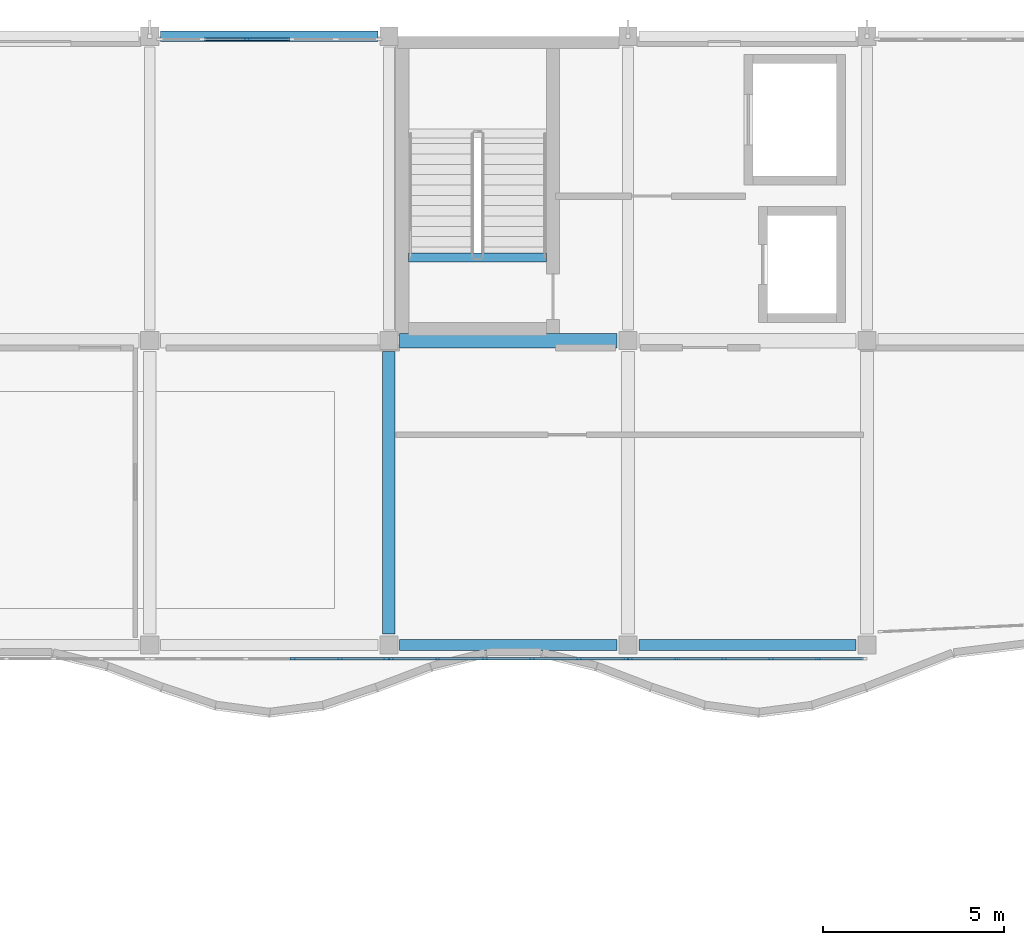
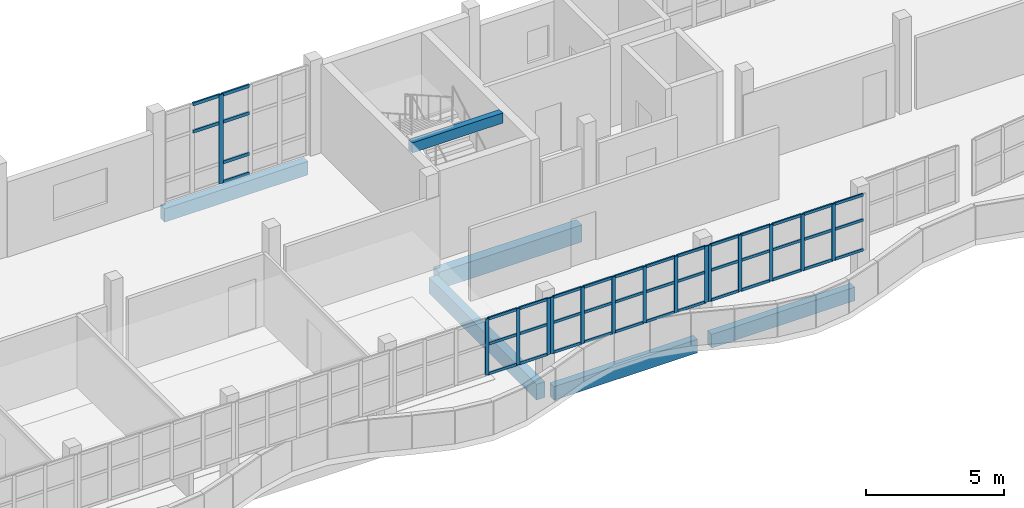
# One storey, part 23 of 78: 57 members, 6 beams, 4 elements without a shape of their own.
"""IFC4 building model written with IfcOpenShell, lengths in metres."""

from ifc_helpers import new_model, si_unit, direction, frame, origin, origin_2d, place, context, subcontext, project, spatial, rectangle, extrude, material, material_profile, profile_set, type_object, element, aggregate, save


model = new_model("IFC4")

# Units and contexts
model_context = context("Model", 3, precision=1e-05, world=origin(), true_north=direction((0.0, 1.0)))
body_context = subcontext(model_context, "Body", "Model", "MODEL_VIEW")
ifc_project = project(units=[si_unit("LENGTHUNIT", "METRE"), si_unit("AREAUNIT", "SQUARE_METRE"), si_unit("VOLUMEUNIT", "CUBIC_METRE"), si_unit("PLANEANGLEUNIT", "RADIAN"), si_unit("MASSUNIT", "GRAM", prefix="KILO")], contexts=[model_context])

# Site, building, storey
site_placement = place(None, origin())
site = spatial("IfcSite", under=ifc_project, at=site_placement, CompositionType="ELEMENT")
building_placement = place(site_placement, origin())
building = spatial("IfcBuilding", under=site, at=building_placement, Name="Qaldarim Faculty of Natural and Applied Sciences", CompositionType="ELEMENT")
storey_placement = place(building_placement, frame((0.0, 0.0, 18.60009765625)))
storey = spatial("IfcBuildingStorey", under=building, at=storey_placement, Name="L04", CompositionType="ELEMENT", Elevation=18.60009765625)

# Beams
ifc_material_1 = material(Name="Concrete C50/60", Category="concrete")
ifc_material_profile_1 = material_profile(ifc_material_1, rectangle(XDim=0.39990234375, YDim=0.75, at=origin_2d()), Name="RC-B400x750")
ifc_profile_set_1 = profile_set([ifc_material_profile_1], Name="Concrete C50/60")
beam_type_1 = type_object("IfcBeamType", Name="LabGirder-RC400x750", PredefinedType="BEAM", material=ifc_profile_set_1)
beam_1_placement = place(storey_placement, frame((99.300048828125, 109.199951171875, -0.635009765625), z_axis=(1.0, 0.0, 0.0), x_axis=(0.0, 1.0, 0.0)))
element("IfcBeam", 1, at=beam_1_placement, inside=storey, type_object=beam_type_1, Name="Beam RC-B400x750 L03 X16-X17/Y14", PredefinedType="BEAM", context=body_context, shape_type="SweptSolid", body=[
    extrude(rectangle(XDim=0.39990234375, YDim=0.75, at=origin_2d()), origin(), (0.0, 0.0, 1.0), 6.0),
])
ifc_material_2 = material(Name="Concrete C40/50", Category="concrete")
ifc_material_profile_2 = material_profile(ifc_material_2, rectangle(XDim=0.25, YDim=0.449951171875, at=origin_2d()), Name="RC-LN250x450")
ifc_profile_set_2 = profile_set([ifc_material_profile_2], Name="Concrete C40/50")
beam_type_2 = type_object("IfcBeamType", Name="LandingSupportBeam-RC250x450", PredefinedType="BEAM", material=ifc_profile_set_2)
beam_2_placement = place(storey_placement, frame((99.550048828125, 111.5, 3.71484375), z_axis=(1.0, 0.0, 0.0), x_axis=(0.0, 1.0, 0.0)))
element("IfcBeam", 2, at=beam_2_placement, inside=storey, type_object=beam_type_2, Name="Stair arrival support beam ST-B1 L04", PredefinedType="BEAM", context=body_context, shape_type="SweptSolid", body=[
    extrude(rectangle(XDim=0.25, YDim=0.449951171875, at=origin_2d()), origin(), (0.0, 0.0, 1.0), 3.800048828125),
])

# Curtain wall, members
ifc_material_3 = material(Name="Anodised aluminium AW-6063", Category="aluminium")
curtain_wall_type_1 = type_object("IfcCurtainWallType", Name="CurtainWallSystem-M1400", PredefinedType="USERDEFINED", material=ifc_material_3)
curtain_wall_1_placement = place(storey_placement, origin())
curtain_wall_1 = element("IfcCurtainWall", 3, at=curtain_wall_1_placement, inside=storey, type_object=curtain_wall_type_1, Name="Curtain wall CW-V4RIB-L04-X15", ObjectType="STICK CURTAIN WALL", PredefinedType="USERDEFINED")
ifc_material_profile_3 = material_profile(ifc_material_3, rectangle(XDim=0.06005859375, YDim=0.14990234375, at=origin_2d()), Name="ALU-M60x150")
ifc_profile_set_3 = profile_set([ifc_material_profile_3], Name="Anodised aluminium AW-6063")
member_type_1 = type_object("IfcMemberType", Name="Mullion-ALU60x150", PredefinedType="MULLION", material=ifc_profile_set_3)
member_1_placement = place(storey_placement, frame((96.35205078125, 100.419921875, 1.449951171875), z_axis=(0.0, 0.0, 1.0), x_axis=(0.0, 1.0, 0.0)))
member_1 = element("IfcMember", 4, at=member_1_placement, type_object=member_type_1, Name="Mullion 4 of CW-V4RIB-L04-X15", PredefinedType="MULLION", context=body_context, shape_type="SweptSolid", body=[
    extrude(rectangle(XDim=0.06005859375, YDim=0.14990234375, at=origin_2d()), origin(), (0.0, 0.0, 1.0), 2.489990234375),
])
member_2_placement = place(storey_placement, frame((97.656005859375, 100.419921875, 1.449951171875), z_axis=(0.0, 0.0, 1.0), x_axis=(0.0, 1.0, 0.0)))
member_2 = element("IfcMember", 5, at=member_2_placement, type_object=member_type_1, Name="Mullion 5 of CW-V4RIB-L04-X15", PredefinedType="MULLION", context=body_context, shape_type="SweptSolid", body=[
    extrude(rectangle(XDim=0.06005859375, YDim=0.14990234375, at=origin_2d()), origin(), (0.0, 0.0, 1.0), 2.489990234375),
])
member_3_placement = place(storey_placement, frame((98.929931640625, 100.419921875, 1.449951171875), z_axis=(0.0, 0.0, 1.0), x_axis=(0.0, 1.0, 0.0)))
member_3 = element("IfcMember", 6, at=member_3_placement, type_object=member_type_1, Name="Mullion 6 of CW-V4RIB-L04-X15", PredefinedType="MULLION", context=body_context, shape_type="SweptSolid", body=[
    extrude(rectangle(XDim=0.06005859375, YDim=0.14990234375, at=origin_2d()), origin(), (0.0, 0.0, 1.0), 2.489990234375),
])

curtain_wall_2_placement = place(storey_placement, origin())
curtain_wall_2 = element("IfcCurtainWall", 7, at=curtain_wall_2_placement, inside=storey, type_object=curtain_wall_type_1, Name="Curtain wall CW-V4RIB-L04-X16", ObjectType="STICK CURTAIN WALL", PredefinedType="USERDEFINED")
member_4_placement = place(storey_placement, frame((99.070068359375, 100.419921875, 1.449951171875), z_axis=(0.0, 0.0, 1.0), x_axis=(0.0, 1.0, 0.0)))
member_4 = element("IfcMember", 8, at=member_4_placement, type_object=member_type_1, Name="Mullion 1 of CW-V4RIB-L04-X16", PredefinedType="MULLION", context=body_context, shape_type="SweptSolid", body=[
    extrude(rectangle(XDim=0.06005859375, YDim=0.14990234375, at=origin_2d()), origin(), (0.0, 0.0, 1.0), 2.489990234375),
])
member_5_placement = place(storey_placement, frame((100.343994140625, 100.419921875, 1.449951171875), z_axis=(0.0, 0.0, 1.0), x_axis=(0.0, 1.0, 0.0)))
member_5 = element("IfcMember", 9, at=member_5_placement, type_object=member_type_1, Name="Mullion 2 of CW-V4RIB-L04-X16", PredefinedType="MULLION", context=body_context, shape_type="SweptSolid", body=[
    extrude(rectangle(XDim=0.06005859375, YDim=0.14990234375, at=origin_2d()), origin(), (0.0, 0.0, 1.0), 2.489990234375),
])
member_6_placement = place(storey_placement, frame((101.64794921875, 100.419921875, 1.449951171875), z_axis=(0.0, 0.0, 1.0), x_axis=(0.0, 1.0, 0.0)))
member_6 = element("IfcMember", 10, at=member_6_placement, type_object=member_type_1, Name="Mullion 3 of CW-V4RIB-L04-X16", PredefinedType="MULLION", context=body_context, shape_type="SweptSolid", body=[
    extrude(rectangle(XDim=0.06005859375, YDim=0.14990234375, at=origin_2d()), origin(), (0.0, 0.0, 1.0), 2.489990234375),
])
member_7_placement = place(storey_placement, frame((102.951904296875, 100.419921875, 1.449951171875), z_axis=(0.0, 0.0, 1.0), x_axis=(0.0, 1.0, 0.0)))
member_7 = element("IfcMember", 11, at=member_7_placement, type_object=member_type_1, Name="Mullion 4 of CW-V4RIB-L04-X16", PredefinedType="MULLION", context=body_context, shape_type="SweptSolid", body=[
    extrude(rectangle(XDim=0.06005859375, YDim=0.14990234375, at=origin_2d()), origin(), (0.0, 0.0, 1.0), 2.489990234375),
])
member_8_placement = place(storey_placement, frame((104.256103515625, 100.419921875, 1.449951171875), z_axis=(0.0, 0.0, 1.0), x_axis=(0.0, 1.0, 0.0)))
member_8 = element("IfcMember", 12, at=member_8_placement, type_object=member_type_1, Name="Mullion 5 of CW-V4RIB-L04-X16", PredefinedType="MULLION", context=body_context, shape_type="SweptSolid", body=[
    extrude(rectangle(XDim=0.06005859375, YDim=0.14990234375, at=origin_2d()), origin(), (0.0, 0.0, 1.0), 2.489990234375),
])
member_9_placement = place(storey_placement, frame((105.530029296875, 100.419921875, 1.449951171875), z_axis=(0.0, 0.0, 1.0), x_axis=(0.0, 1.0, 0.0)))
member_9 = element("IfcMember", 13, at=member_9_placement, type_object=member_type_1, Name="Mullion 6 of CW-V4RIB-L04-X16", PredefinedType="MULLION", context=body_context, shape_type="SweptSolid", body=[
    extrude(rectangle(XDim=0.06005859375, YDim=0.14990234375, at=origin_2d()), origin(), (0.0, 0.0, 1.0), 2.489990234375),
])

curtain_wall_3_placement = place(storey_placement, origin())
curtain_wall_3 = element("IfcCurtainWall", 14, at=curtain_wall_3_placement, inside=storey, type_object=curtain_wall_type_1, Name="Curtain wall CW-V4RIB-L04-X17", ObjectType="STICK CURTAIN WALL", PredefinedType="USERDEFINED")
member_10_placement = place(storey_placement, frame((105.669921875, 100.419921875, 1.449951171875), z_axis=(0.0, 0.0, 1.0), x_axis=(0.0, 1.0, 0.0)))
member_10 = element("IfcMember", 15, at=member_10_placement, type_object=member_type_1, Name="Mullion 1 of CW-V4RIB-L04-X17", PredefinedType="MULLION", context=body_context, shape_type="SweptSolid", body=[
    extrude(rectangle(XDim=0.06005859375, YDim=0.14990234375, at=origin_2d()), origin(), (0.0, 0.0, 1.0), 2.489990234375),
])
member_11_placement = place(storey_placement, frame((106.944091796875, 100.419921875, 1.449951171875), z_axis=(0.0, 0.0, 1.0), x_axis=(0.0, 1.0, 0.0)))
member_11 = element("IfcMember", 16, at=member_11_placement, type_object=member_type_1, Name="Mullion 2 of CW-V4RIB-L04-X17", PredefinedType="MULLION", context=body_context, shape_type="SweptSolid", body=[
    extrude(rectangle(XDim=0.06005859375, YDim=0.14990234375, at=origin_2d()), origin(), (0.0, 0.0, 1.0), 2.489990234375),
])
member_12_placement = place(storey_placement, frame((108.248046875, 100.419921875, 1.449951171875), z_axis=(0.0, 0.0, 1.0), x_axis=(0.0, 1.0, 0.0)))
member_12 = element("IfcMember", 17, at=member_12_placement, type_object=member_type_1, Name="Mullion 3 of CW-V4RIB-L04-X17", PredefinedType="MULLION", context=body_context, shape_type="SweptSolid", body=[
    extrude(rectangle(XDim=0.06005859375, YDim=0.14990234375, at=origin_2d()), origin(), (0.0, 0.0, 1.0), 2.489990234375),
])
member_13_placement = place(storey_placement, frame((109.552001953125, 100.419921875, 1.449951171875), z_axis=(0.0, 0.0, 1.0), x_axis=(0.0, 1.0, 0.0)))
member_13 = element("IfcMember", 18, at=member_13_placement, type_object=member_type_1, Name="Mullion 4 of CW-V4RIB-L04-X17", PredefinedType="MULLION", context=body_context, shape_type="SweptSolid", body=[
    extrude(rectangle(XDim=0.06005859375, YDim=0.14990234375, at=origin_2d()), origin(), (0.0, 0.0, 1.0), 2.489990234375),
])
member_14_placement = place(storey_placement, frame((110.85595703125, 100.419921875, 1.449951171875), z_axis=(0.0, 0.0, 1.0), x_axis=(0.0, 1.0, 0.0)))
member_14 = element("IfcMember", 19, at=member_14_placement, type_object=member_type_1, Name="Mullion 5 of CW-V4RIB-L04-X17", PredefinedType="MULLION", context=body_context, shape_type="SweptSolid", body=[
    extrude(rectangle(XDim=0.06005859375, YDim=0.14990234375, at=origin_2d()), origin(), (0.0, 0.0, 1.0), 2.489990234375),
])

# Curtain wall, member
curtain_wall_type_2 = type_object("IfcCurtainWallType", Name="CurtainWallSystem-M1200", PredefinedType="USERDEFINED", material=ifc_material_3)
curtain_wall_4_placement = place(storey_placement, origin())
curtain_wall_4 = element("IfcCurtainWall", 20, at=curtain_wall_4_placement, inside=storey, type_object=curtain_wall_type_2, Name="Curtain wall CW-L04-N-X15Y14", ObjectType="STICK CURTAIN WALL", PredefinedType="USERDEFINED")
ifc_material_profile_4 = material_profile(ifc_material_3, rectangle(XDim=0.070068359375, YDim=0.179931640625, at=origin_2d()), Name="ALU-M70x180")
ifc_profile_set_4 = profile_set([ifc_material_profile_4], Name="Anodised aluminium AW-6063")
member_type_2 = type_object("IfcMemberType", Name="Mullion-ALU70x180", PredefinedType="MULLION", material=ifc_profile_set_4)
member_15_placement = place(storey_placement, frame((95.089111328125, 117.52001953125, 0.0), z_axis=(0.0, 0.0, 1.0), x_axis=(0.0, -1.0, 0.0)))
member_15 = element("IfcMember", 21, at=member_15_placement, type_object=member_type_2, Name="Mullion 4 of CW-L04-N-X15Y14", PredefinedType="MULLION", context=body_context, shape_type="SweptSolid", body=[
    extrude(rectangle(XDim=0.070068359375, YDim=0.179931640625, at=origin_2d()), origin(), (0.0, 0.0, 1.0), 3.93994140625),
])

# Beams
ifc_material_profile_5 = material_profile(ifc_material_2, rectangle(XDim=0.35009765625, YDim=0.699951171875, at=origin_2d()), Name="RC-B350x700")
ifc_profile_set_5 = profile_set([ifc_material_profile_5], Name="Concrete C40/50")
beam_type_3 = type_object("IfcBeamType", Name="PrimaryGirder-RC350x700", PredefinedType="BEAM", material=ifc_profile_set_5)
beam_3_placement = place(storey_placement, frame((99.0, 101.10009765625, -0.610107421875), z_axis=(0.0, 1.0, 0.0), x_axis=(-1.0, 0.0, 0.0)))
element("IfcBeam", 22, at=beam_3_placement, inside=storey, type_object=beam_type_3, Name="Beam RC-B350x700 L03 X16/Y13-Y14", PredefinedType="BEAM", context=body_context, shape_type="SweptSolid", body=[
    extrude(rectangle(XDim=0.35009765625, YDim=0.699951171875, at=origin_2d()), origin(), (0.0, 0.0, 1.0), 7.7998046875),
])
ifc_material_4 = material(Name="Precast concrete C40/50", Category="concrete")
ifc_material_profile_6 = material_profile(ifc_material_4, rectangle(XDim=0.300048828125, YDim=0.60009765625, at=origin_2d()), Name="RC-SP300x600")
ifc_profile_set_6 = profile_set([ifc_material_profile_6], Name="Precast concrete C40/50")
beam_type_4 = type_object("IfcBeamType", Name="SpandrelBeam-RC300x600", PredefinedType="SPANDREL", material=ifc_profile_set_6)
for number, where, z_axis, x_axis, name in (
    (23, (99.300048828125, 100.800048828125, -0.56005859375), (1.0, 0.0, 0.0), (0.0, 1.0, 0.0), "Beam RC-SP300x600 L03 X16-X17/Y13"),
    (24, (105.89990234375, 100.800048828125, -0.56005859375), (1.0, 0.0, 0.0), (0.0, 1.0, 0.0), "Beam RC-SP300x600 L03 X17-X18/Y13"),
    (25, (92.699951171875, 117.60009765625, -0.56005859375), (1.0, 0.0, 0.0), (0.0, 1.0, 0.0), "Beam RC-SP300x600 L03 X15-X16/Y15"),
):
    element("IfcBeam", number, at=place(storey_placement, frame(where, z_axis=z_axis, x_axis=x_axis)), inside=storey, type_object=beam_type_4, Name=name, PredefinedType="SPANDREL", context=body_context, shape_type="SweptSolid", body=[
        extrude(rectangle(XDim=0.300048828125, YDim=0.60009765625, at=origin_2d()), origin(), (0.0, 0.0, 1.0), 6.0),
    ])

# Member
ifc_material_profile_7 = material_profile(ifc_material_3, rectangle(XDim=0.06005859375, YDim=0.1201171875, at=origin_2d()), Name="ALU-T60x120")
ifc_profile_set_7 = profile_set([ifc_material_profile_7], Name="Anodised aluminium AW-6063")
member_type_3 = type_object("IfcMemberType", Name="Transom-ALU60x120", PredefinedType="USERDEFINED", material=ifc_profile_set_7)
member_16_placement = place(storey_placement, frame((96.382080078125, 100.419921875, 1.47998046875), z_axis=(1.0, 0.0, 0.0), x_axis=(0.0, 1.0, 0.0)))
member_16 = element("IfcMember", 26, at=member_16_placement, type_object=member_type_3, Name="Transom 4-1 of CW-V4RIB-L04-X15", ObjectType="TRANSOM", PredefinedType="USERDEFINED", context=body_context, shape_type="SweptSolid", body=[
    extrude(rectangle(XDim=0.06005859375, YDim=0.1201171875, at=origin_2d()), origin(), (0.0, 0.0, 1.0), 1.243896484375),
])

member_17_placement = place(storey_placement, frame((96.382080078125, 100.419921875, 2.7998046875), z_axis=(1.0, 0.0, 0.0), x_axis=(0.0, 1.0, 0.0)))
member_17 = element("IfcMember", 27, at=member_17_placement, type_object=member_type_3, Name="Transom 4-2 of CW-V4RIB-L04-X15", ObjectType="TRANSOM", PredefinedType="USERDEFINED", context=body_context, shape_type="SweptSolid", body=[
    extrude(rectangle(XDim=0.06005859375, YDim=0.1201171875, at=origin_2d()), origin(), (0.0, 0.0, 1.0), 1.243896484375),
])

member_18_placement = place(storey_placement, frame((96.382080078125, 100.419921875, 3.909912109375), z_axis=(1.0, 0.0, 0.0), x_axis=(0.0, 1.0, 0.0)))
member_18 = element("IfcMember", 28, at=member_18_placement, type_object=member_type_3, Name="Transom 4-3 of CW-V4RIB-L04-X15", ObjectType="TRANSOM", PredefinedType="USERDEFINED", context=body_context, shape_type="SweptSolid", body=[
    extrude(rectangle(XDim=0.06005859375, YDim=0.1201171875, at=origin_2d()), origin(), (0.0, 0.0, 1.0), 1.243896484375),
])

member_19_placement = place(storey_placement, frame((97.68603515625, 100.419921875, 1.47998046875), z_axis=(1.0, 0.0, 0.0), x_axis=(0.0, 1.0, 0.0)))
member_19 = element("IfcMember", 29, at=member_19_placement, type_object=member_type_3, Name="Transom 5-1 of CW-V4RIB-L04-X15", ObjectType="TRANSOM", PredefinedType="USERDEFINED", context=body_context, shape_type="SweptSolid", body=[
    extrude(rectangle(XDim=0.06005859375, YDim=0.1201171875, at=origin_2d()), origin(), (0.0, 0.0, 1.0), 1.2138671875),
])

member_20_placement = place(storey_placement, frame((97.68603515625, 100.419921875, 2.7998046875), z_axis=(1.0, 0.0, 0.0), x_axis=(0.0, 1.0, 0.0)))
member_20 = element("IfcMember", 30, at=member_20_placement, type_object=member_type_3, Name="Transom 5-2 of CW-V4RIB-L04-X15", ObjectType="TRANSOM", PredefinedType="USERDEFINED", context=body_context, shape_type="SweptSolid", body=[
    extrude(rectangle(XDim=0.06005859375, YDim=0.1201171875, at=origin_2d()), origin(), (0.0, 0.0, 1.0), 1.2138671875),
])

member_21_placement = place(storey_placement, frame((97.68603515625, 100.419921875, 3.909912109375), z_axis=(1.0, 0.0, 0.0), x_axis=(0.0, 1.0, 0.0)))
member_21 = element("IfcMember", 31, at=member_21_placement, type_object=member_type_3, Name="Transom 5-3 of CW-V4RIB-L04-X15", ObjectType="TRANSOM", PredefinedType="USERDEFINED", context=body_context, shape_type="SweptSolid", body=[
    extrude(rectangle(XDim=0.06005859375, YDim=0.1201171875, at=origin_2d()), origin(), (0.0, 0.0, 1.0), 1.2138671875),
])

aggregate(curtain_wall_1, [member_1, member_2, member_3, member_16, member_17, member_18, member_19, member_20, member_21])

member_22_placement = place(storey_placement, frame((99.10009765625, 100.419921875, 1.47998046875), z_axis=(1.0, 0.0, 0.0), x_axis=(0.0, 1.0, 0.0)))
member_22 = element("IfcMember", 32, at=member_22_placement, type_object=member_type_3, Name="Transom 1-1 of CW-V4RIB-L04-X16", ObjectType="TRANSOM", PredefinedType="USERDEFINED", context=body_context, shape_type="SweptSolid", body=[
    extrude(rectangle(XDim=0.06005859375, YDim=0.1201171875, at=origin_2d()), origin(), (0.0, 0.0, 1.0), 1.2138671875),
])

member_23_placement = place(storey_placement, frame((99.10009765625, 100.419921875, 2.7998046875), z_axis=(1.0, 0.0, 0.0), x_axis=(0.0, 1.0, 0.0)))
member_23 = element("IfcMember", 33, at=member_23_placement, type_object=member_type_3, Name="Transom 1-2 of CW-V4RIB-L04-X16", ObjectType="TRANSOM", PredefinedType="USERDEFINED", context=body_context, shape_type="SweptSolid", body=[
    extrude(rectangle(XDim=0.06005859375, YDim=0.1201171875, at=origin_2d()), origin(), (0.0, 0.0, 1.0), 1.2138671875),
])

member_24_placement = place(storey_placement, frame((99.10009765625, 100.419921875, 3.909912109375), z_axis=(1.0, 0.0, 0.0), x_axis=(0.0, 1.0, 0.0)))
member_24 = element("IfcMember", 34, at=member_24_placement, type_object=member_type_3, Name="Transom 1-3 of CW-V4RIB-L04-X16", ObjectType="TRANSOM", PredefinedType="USERDEFINED", context=body_context, shape_type="SweptSolid", body=[
    extrude(rectangle(XDim=0.06005859375, YDim=0.1201171875, at=origin_2d()), origin(), (0.0, 0.0, 1.0), 1.2138671875),
])

member_25_placement = place(storey_placement, frame((100.3740234375, 100.419921875, 1.47998046875), z_axis=(1.0, 0.0, 0.0), x_axis=(0.0, 1.0, 0.0)))
member_25 = element("IfcMember", 35, at=member_25_placement, type_object=member_type_3, Name="Transom 2-1 of CW-V4RIB-L04-X16", ObjectType="TRANSOM", PredefinedType="USERDEFINED", context=body_context, shape_type="SweptSolid", body=[
    extrude(rectangle(XDim=0.06005859375, YDim=0.1201171875, at=origin_2d()), origin(), (0.0, 0.0, 1.0), 1.243896484375),
])

member_26_placement = place(storey_placement, frame((100.3740234375, 100.419921875, 2.7998046875), z_axis=(1.0, 0.0, 0.0), x_axis=(0.0, 1.0, 0.0)))
member_26 = element("IfcMember", 36, at=member_26_placement, type_object=member_type_3, Name="Transom 2-2 of CW-V4RIB-L04-X16", ObjectType="TRANSOM", PredefinedType="USERDEFINED", context=body_context, shape_type="SweptSolid", body=[
    extrude(rectangle(XDim=0.06005859375, YDim=0.1201171875, at=origin_2d()), origin(), (0.0, 0.0, 1.0), 1.243896484375),
])

member_27_placement = place(storey_placement, frame((100.3740234375, 100.419921875, 3.909912109375), z_axis=(1.0, 0.0, 0.0), x_axis=(0.0, 1.0, 0.0)))
member_27 = element("IfcMember", 37, at=member_27_placement, type_object=member_type_3, Name="Transom 2-3 of CW-V4RIB-L04-X16", ObjectType="TRANSOM", PredefinedType="USERDEFINED", context=body_context, shape_type="SweptSolid", body=[
    extrude(rectangle(XDim=0.06005859375, YDim=0.1201171875, at=origin_2d()), origin(), (0.0, 0.0, 1.0), 1.243896484375),
])

member_28_placement = place(storey_placement, frame((101.677978515625, 100.419921875, 1.47998046875), z_axis=(1.0, 0.0, 0.0), x_axis=(0.0, 1.0, 0.0)))
member_28 = element("IfcMember", 38, at=member_28_placement, type_object=member_type_3, Name="Transom 3-1 of CW-V4RIB-L04-X16", ObjectType="TRANSOM", PredefinedType="USERDEFINED", context=body_context, shape_type="SweptSolid", body=[
    extrude(rectangle(XDim=0.06005859375, YDim=0.1201171875, at=origin_2d()), origin(), (0.0, 0.0, 1.0), 1.244140625),
])

member_29_placement = place(storey_placement, frame((101.677978515625, 100.419921875, 2.7998046875), z_axis=(1.0, 0.0, 0.0), x_axis=(0.0, 1.0, 0.0)))
member_29 = element("IfcMember", 39, at=member_29_placement, type_object=member_type_3, Name="Transom 3-2 of CW-V4RIB-L04-X16", ObjectType="TRANSOM", PredefinedType="USERDEFINED", context=body_context, shape_type="SweptSolid", body=[
    extrude(rectangle(XDim=0.06005859375, YDim=0.1201171875, at=origin_2d()), origin(), (0.0, 0.0, 1.0), 1.244140625),
])

member_30_placement = place(storey_placement, frame((101.677978515625, 100.419921875, 3.909912109375), z_axis=(1.0, 0.0, 0.0), x_axis=(0.0, 1.0, 0.0)))
member_30 = element("IfcMember", 40, at=member_30_placement, type_object=member_type_3, Name="Transom 3-3 of CW-V4RIB-L04-X16", ObjectType="TRANSOM", PredefinedType="USERDEFINED", context=body_context, shape_type="SweptSolid", body=[
    extrude(rectangle(XDim=0.06005859375, YDim=0.1201171875, at=origin_2d()), origin(), (0.0, 0.0, 1.0), 1.244140625),
])

member_31_placement = place(storey_placement, frame((102.98193359375, 100.419921875, 1.47998046875), z_axis=(1.0, 0.0, 0.0), x_axis=(0.0, 1.0, 0.0)))
member_31 = element("IfcMember", 41, at=member_31_placement, type_object=member_type_3, Name="Transom 4-1 of CW-V4RIB-L04-X16", ObjectType="TRANSOM", PredefinedType="USERDEFINED", context=body_context, shape_type="SweptSolid", body=[
    extrude(rectangle(XDim=0.06005859375, YDim=0.1201171875, at=origin_2d()), origin(), (0.0, 0.0, 1.0), 1.244140625),
])

member_32_placement = place(storey_placement, frame((102.98193359375, 100.419921875, 2.7998046875), z_axis=(1.0, 0.0, 0.0), x_axis=(0.0, 1.0, 0.0)))
member_32 = element("IfcMember", 42, at=member_32_placement, type_object=member_type_3, Name="Transom 4-2 of CW-V4RIB-L04-X16", ObjectType="TRANSOM", PredefinedType="USERDEFINED", context=body_context, shape_type="SweptSolid", body=[
    extrude(rectangle(XDim=0.06005859375, YDim=0.1201171875, at=origin_2d()), origin(), (0.0, 0.0, 1.0), 1.244140625),
])

member_33_placement = place(storey_placement, frame((102.98193359375, 100.419921875, 3.909912109375), z_axis=(1.0, 0.0, 0.0), x_axis=(0.0, 1.0, 0.0)))
member_33 = element("IfcMember", 43, at=member_33_placement, type_object=member_type_3, Name="Transom 4-3 of CW-V4RIB-L04-X16", ObjectType="TRANSOM", PredefinedType="USERDEFINED", context=body_context, shape_type="SweptSolid", body=[
    extrude(rectangle(XDim=0.06005859375, YDim=0.1201171875, at=origin_2d()), origin(), (0.0, 0.0, 1.0), 1.244140625),
])

member_34_placement = place(storey_placement, frame((104.285888671875, 100.419921875, 1.47998046875), z_axis=(1.0, 0.0, 0.0), x_axis=(0.0, 1.0, 0.0)))
member_34 = element("IfcMember", 44, at=member_34_placement, type_object=member_type_3, Name="Transom 5-1 of CW-V4RIB-L04-X16", ObjectType="TRANSOM", PredefinedType="USERDEFINED", context=body_context, shape_type="SweptSolid", body=[
    extrude(rectangle(XDim=0.06005859375, YDim=0.1201171875, at=origin_2d()), origin(), (0.0, 0.0, 1.0), 1.214111328125),
])

member_35_placement = place(storey_placement, frame((104.285888671875, 100.419921875, 2.7998046875), z_axis=(1.0, 0.0, 0.0), x_axis=(0.0, 1.0, 0.0)))
member_35 = element("IfcMember", 45, at=member_35_placement, type_object=member_type_3, Name="Transom 5-2 of CW-V4RIB-L04-X16", ObjectType="TRANSOM", PredefinedType="USERDEFINED", context=body_context, shape_type="SweptSolid", body=[
    extrude(rectangle(XDim=0.06005859375, YDim=0.1201171875, at=origin_2d()), origin(), (0.0, 0.0, 1.0), 1.214111328125),
])

member_36_placement = place(storey_placement, frame((104.285888671875, 100.419921875, 3.909912109375), z_axis=(1.0, 0.0, 0.0), x_axis=(0.0, 1.0, 0.0)))
member_36 = element("IfcMember", 46, at=member_36_placement, type_object=member_type_3, Name="Transom 5-3 of CW-V4RIB-L04-X16", ObjectType="TRANSOM", PredefinedType="USERDEFINED", context=body_context, shape_type="SweptSolid", body=[
    extrude(rectangle(XDim=0.06005859375, YDim=0.1201171875, at=origin_2d()), origin(), (0.0, 0.0, 1.0), 1.214111328125),
])

aggregate(curtain_wall_2, [member_4, member_5, member_6, member_7, member_8, member_9, member_22, member_23, member_24, member_25, member_26, member_27, member_28, member_29, member_30, member_31, member_32, member_33, member_34, member_35, member_36])

member_37_placement = place(storey_placement, frame((105.699951171875, 100.419921875, 1.47998046875), z_axis=(1.0, 0.0, 0.0), x_axis=(0.0, 1.0, 0.0)))
member_37 = element("IfcMember", 47, at=member_37_placement, type_object=member_type_3, Name="Transom 1-1 of CW-V4RIB-L04-X17", ObjectType="TRANSOM", PredefinedType="USERDEFINED", context=body_context, shape_type="SweptSolid", body=[
    extrude(rectangle(XDim=0.06005859375, YDim=0.1201171875, at=origin_2d()), origin(), (0.0, 0.0, 1.0), 1.214111328125),
])

member_38_placement = place(storey_placement, frame((105.699951171875, 100.419921875, 2.7998046875), z_axis=(1.0, 0.0, 0.0), x_axis=(0.0, 1.0, 0.0)))
member_38 = element("IfcMember", 48, at=member_38_placement, type_object=member_type_3, Name="Transom 1-2 of CW-V4RIB-L04-X17", ObjectType="TRANSOM", PredefinedType="USERDEFINED", context=body_context, shape_type="SweptSolid", body=[
    extrude(rectangle(XDim=0.06005859375, YDim=0.1201171875, at=origin_2d()), origin(), (0.0, 0.0, 1.0), 1.214111328125),
])

member_39_placement = place(storey_placement, frame((105.699951171875, 100.419921875, 3.909912109375), z_axis=(1.0, 0.0, 0.0), x_axis=(0.0, 1.0, 0.0)))
member_39 = element("IfcMember", 49, at=member_39_placement, type_object=member_type_3, Name="Transom 1-3 of CW-V4RIB-L04-X17", ObjectType="TRANSOM", PredefinedType="USERDEFINED", context=body_context, shape_type="SweptSolid", body=[
    extrude(rectangle(XDim=0.06005859375, YDim=0.1201171875, at=origin_2d()), origin(), (0.0, 0.0, 1.0), 1.214111328125),
])

member_40_placement = place(storey_placement, frame((106.97412109375, 100.419921875, 1.47998046875), z_axis=(1.0, 0.0, 0.0), x_axis=(0.0, 1.0, 0.0)))
member_40 = element("IfcMember", 50, at=member_40_placement, type_object=member_type_3, Name="Transom 2-1 of CW-V4RIB-L04-X17", ObjectType="TRANSOM", PredefinedType="USERDEFINED", context=body_context, shape_type="SweptSolid", body=[
    extrude(rectangle(XDim=0.06005859375, YDim=0.1201171875, at=origin_2d()), origin(), (0.0, 0.0, 1.0), 1.243896484375),
])

member_41_placement = place(storey_placement, frame((106.97412109375, 100.419921875, 2.7998046875), z_axis=(1.0, 0.0, 0.0), x_axis=(0.0, 1.0, 0.0)))
member_41 = element("IfcMember", 51, at=member_41_placement, type_object=member_type_3, Name="Transom 2-2 of CW-V4RIB-L04-X17", ObjectType="TRANSOM", PredefinedType="USERDEFINED", context=body_context, shape_type="SweptSolid", body=[
    extrude(rectangle(XDim=0.06005859375, YDim=0.1201171875, at=origin_2d()), origin(), (0.0, 0.0, 1.0), 1.243896484375),
])

member_42_placement = place(storey_placement, frame((106.97412109375, 100.419921875, 3.909912109375), z_axis=(1.0, 0.0, 0.0), x_axis=(0.0, 1.0, 0.0)))
member_42 = element("IfcMember", 52, at=member_42_placement, type_object=member_type_3, Name="Transom 2-3 of CW-V4RIB-L04-X17", ObjectType="TRANSOM", PredefinedType="USERDEFINED", context=body_context, shape_type="SweptSolid", body=[
    extrude(rectangle(XDim=0.06005859375, YDim=0.1201171875, at=origin_2d()), origin(), (0.0, 0.0, 1.0), 1.243896484375),
])

member_43_placement = place(storey_placement, frame((108.278076171875, 100.419921875, 1.47998046875), z_axis=(1.0, 0.0, 0.0), x_axis=(0.0, 1.0, 0.0)))
member_43 = element("IfcMember", 53, at=member_43_placement, type_object=member_type_3, Name="Transom 3-1 of CW-V4RIB-L04-X17", ObjectType="TRANSOM", PredefinedType="USERDEFINED", context=body_context, shape_type="SweptSolid", body=[
    extrude(rectangle(XDim=0.06005859375, YDim=0.1201171875, at=origin_2d()), origin(), (0.0, 0.0, 1.0), 1.243896484375),
])

member_44_placement = place(storey_placement, frame((108.278076171875, 100.419921875, 2.7998046875), z_axis=(1.0, 0.0, 0.0), x_axis=(0.0, 1.0, 0.0)))
member_44 = element("IfcMember", 54, at=member_44_placement, type_object=member_type_3, Name="Transom 3-2 of CW-V4RIB-L04-X17", ObjectType="TRANSOM", PredefinedType="USERDEFINED", context=body_context, shape_type="SweptSolid", body=[
    extrude(rectangle(XDim=0.06005859375, YDim=0.1201171875, at=origin_2d()), origin(), (0.0, 0.0, 1.0), 1.243896484375),
])

member_45_placement = place(storey_placement, frame((108.278076171875, 100.419921875, 3.909912109375), z_axis=(1.0, 0.0, 0.0), x_axis=(0.0, 1.0, 0.0)))
member_45 = element("IfcMember", 55, at=member_45_placement, type_object=member_type_3, Name="Transom 3-3 of CW-V4RIB-L04-X17", ObjectType="TRANSOM", PredefinedType="USERDEFINED", context=body_context, shape_type="SweptSolid", body=[
    extrude(rectangle(XDim=0.06005859375, YDim=0.1201171875, at=origin_2d()), origin(), (0.0, 0.0, 1.0), 1.243896484375),
])

member_46_placement = place(storey_placement, frame((109.58203125, 100.419921875, 1.47998046875), z_axis=(1.0, 0.0, 0.0), x_axis=(0.0, 1.0, 0.0)))
member_46 = element("IfcMember", 56, at=member_46_placement, type_object=member_type_3, Name="Transom 4-1 of CW-V4RIB-L04-X17", ObjectType="TRANSOM", PredefinedType="USERDEFINED", context=body_context, shape_type="SweptSolid", body=[
    extrude(rectangle(XDim=0.06005859375, YDim=0.1201171875, at=origin_2d()), origin(), (0.0, 0.0, 1.0), 1.243896484375),
])

member_47_placement = place(storey_placement, frame((109.58203125, 100.419921875, 2.7998046875), z_axis=(1.0, 0.0, 0.0), x_axis=(0.0, 1.0, 0.0)))
member_47 = element("IfcMember", 57, at=member_47_placement, type_object=member_type_3, Name="Transom 4-2 of CW-V4RIB-L04-X17", ObjectType="TRANSOM", PredefinedType="USERDEFINED", context=body_context, shape_type="SweptSolid", body=[
    extrude(rectangle(XDim=0.06005859375, YDim=0.1201171875, at=origin_2d()), origin(), (0.0, 0.0, 1.0), 1.243896484375),
])

member_48_placement = place(storey_placement, frame((109.58203125, 100.419921875, 3.909912109375), z_axis=(1.0, 0.0, 0.0), x_axis=(0.0, 1.0, 0.0)))
member_48 = element("IfcMember", 58, at=member_48_placement, type_object=member_type_3, Name="Transom 4-3 of CW-V4RIB-L04-X17", ObjectType="TRANSOM", PredefinedType="USERDEFINED", context=body_context, shape_type="SweptSolid", body=[
    extrude(rectangle(XDim=0.06005859375, YDim=0.1201171875, at=origin_2d()), origin(), (0.0, 0.0, 1.0), 1.243896484375),
])

member_49_placement = place(storey_placement, frame((110.885986328125, 100.419921875, 1.47998046875), z_axis=(1.0, 0.0, 0.0), x_axis=(0.0, 1.0, 0.0)))
member_49 = element("IfcMember", 59, at=member_49_placement, type_object=member_type_3, Name="Transom 5-1 of CW-V4RIB-L04-X17", ObjectType="TRANSOM", PredefinedType="USERDEFINED", context=body_context, shape_type="SweptSolid", body=[
    extrude(rectangle(XDim=0.06005859375, YDim=0.1201171875, at=origin_2d()), origin(), (0.0, 0.0, 1.0), 1.214111328125),
])

member_50_placement = place(storey_placement, frame((110.885986328125, 100.419921875, 2.7998046875), z_axis=(1.0, 0.0, 0.0), x_axis=(0.0, 1.0, 0.0)))
member_50 = element("IfcMember", 60, at=member_50_placement, type_object=member_type_3, Name="Transom 5-2 of CW-V4RIB-L04-X17", ObjectType="TRANSOM", PredefinedType="USERDEFINED", context=body_context, shape_type="SweptSolid", body=[
    extrude(rectangle(XDim=0.06005859375, YDim=0.1201171875, at=origin_2d()), origin(), (0.0, 0.0, 1.0), 1.214111328125),
])

member_51_placement = place(storey_placement, frame((110.885986328125, 100.419921875, 3.909912109375), z_axis=(1.0, 0.0, 0.0), x_axis=(0.0, 1.0, 0.0)))
member_51 = element("IfcMember", 61, at=member_51_placement, type_object=member_type_3, Name="Transom 5-3 of CW-V4RIB-L04-X17", ObjectType="TRANSOM", PredefinedType="USERDEFINED", context=body_context, shape_type="SweptSolid", body=[
    extrude(rectangle(XDim=0.06005859375, YDim=0.1201171875, at=origin_2d()), origin(), (0.0, 0.0, 1.0), 1.214111328125),
])

aggregate(curtain_wall_3, [member_10, member_11, member_12, member_13, member_14, member_37, member_38, member_39, member_40, member_41, member_42, member_43, member_44, member_45, member_46, member_47, member_48, member_49, member_50, member_51])

ifc_material_profile_8 = material_profile(ifc_material_3, rectangle(XDim=0.070068359375, YDim=0.139892578125, at=origin_2d()), Name="ALU-T70x140")
ifc_profile_set_8 = profile_set([ifc_material_profile_8], Name="Anodised aluminium AW-6063")
member_type_4 = type_object("IfcMemberType", Name="Transom-ALU70x140", PredefinedType="USERDEFINED", material=ifc_profile_set_8)
member_52_placement = place(storey_placement, frame((96.27587890625, 117.52001953125, 0.034912109375), z_axis=(-1.0, 0.0, 0.0), x_axis=(0.0, -1.0, 0.0)))
member_52 = element("IfcMember", 62, at=member_52_placement, type_object=member_type_4, Name="Transom 3-1 of CW-L04-N-X15Y14", ObjectType="TRANSOM", PredefinedType="USERDEFINED", context=body_context, shape_type="SweptSolid", body=[
    extrude(rectangle(XDim=0.070068359375, YDim=0.139892578125, at=origin_2d()), origin(), (0.0, 0.0, 1.0), 1.15185546875),
])

member_53_placement = place(storey_placement, frame((96.27587890625, 117.52001953125, 0.89990234375), z_axis=(-1.0, 0.0, 0.0), x_axis=(0.0, -1.0, 0.0)))
member_53 = element("IfcMember", 63, at=member_53_placement, type_object=member_type_4, Name="Transom 3-2 of CW-L04-N-X15Y14", ObjectType="TRANSOM", PredefinedType="USERDEFINED", context=body_context, shape_type="SweptSolid", body=[
    extrude(rectangle(XDim=0.070068359375, YDim=0.139892578125, at=origin_2d()), origin(), (0.0, 0.0, 1.0), 1.15185546875),
])

member_54_placement = place(storey_placement, frame((96.27587890625, 117.52001953125, 2.699951171875), z_axis=(-1.0, 0.0, 0.0), x_axis=(0.0, -1.0, 0.0)))
member_54 = element("IfcMember", 64, at=member_54_placement, type_object=member_type_4, Name="Transom 3-3 of CW-L04-N-X15Y14", ObjectType="TRANSOM", PredefinedType="USERDEFINED", context=body_context, shape_type="SweptSolid", body=[
    extrude(rectangle(XDim=0.070068359375, YDim=0.139892578125, at=origin_2d()), origin(), (0.0, 0.0, 1.0), 1.15185546875),
])

member_55_placement = place(storey_placement, frame((96.27587890625, 117.52001953125, 3.90478515625), z_axis=(-1.0, 0.0, 0.0), x_axis=(0.0, -1.0, 0.0)))
member_55 = element("IfcMember", 65, at=member_55_placement, type_object=member_type_4, Name="Transom 3-4 of CW-L04-N-X15Y14", ObjectType="TRANSOM", PredefinedType="USERDEFINED", context=body_context, shape_type="SweptSolid", body=[
    extrude(rectangle(XDim=0.070068359375, YDim=0.139892578125, at=origin_2d()), origin(), (0.0, 0.0, 1.0), 1.15185546875),
])

member_56_placement = place(storey_placement, frame((95.053955078125, 117.52001953125, 2.699951171875), z_axis=(-1.0, 0.0, 0.0), x_axis=(0.0, -1.0, 0.0)))
member_56 = element("IfcMember", 66, at=member_56_placement, type_object=member_type_4, Name="Transom 4-3 of CW-L04-N-X15Y14", ObjectType="TRANSOM", PredefinedType="USERDEFINED", context=body_context, shape_type="SweptSolid", body=[
    extrude(rectangle(XDim=0.070068359375, YDim=0.139892578125, at=origin_2d()), origin(), (0.0, 0.0, 1.0), 1.15185546875),
])

member_57_placement = place(storey_placement, frame((95.053955078125, 117.52001953125, 3.90478515625), z_axis=(-1.0, 0.0, 0.0), x_axis=(0.0, -1.0, 0.0)))
member_57 = element("IfcMember", 67, at=member_57_placement, type_object=member_type_4, Name="Transom 4-4 of CW-L04-N-X15Y14", ObjectType="TRANSOM", PredefinedType="USERDEFINED", context=body_context, shape_type="SweptSolid", body=[
    extrude(rectangle(XDim=0.070068359375, YDim=0.139892578125, at=origin_2d()), origin(), (0.0, 0.0, 1.0), 1.15185546875),
])

aggregate(curtain_wall_4, [member_15, member_52, member_53, member_54, member_55, member_56, member_57])

save(model, "model.ifc")
